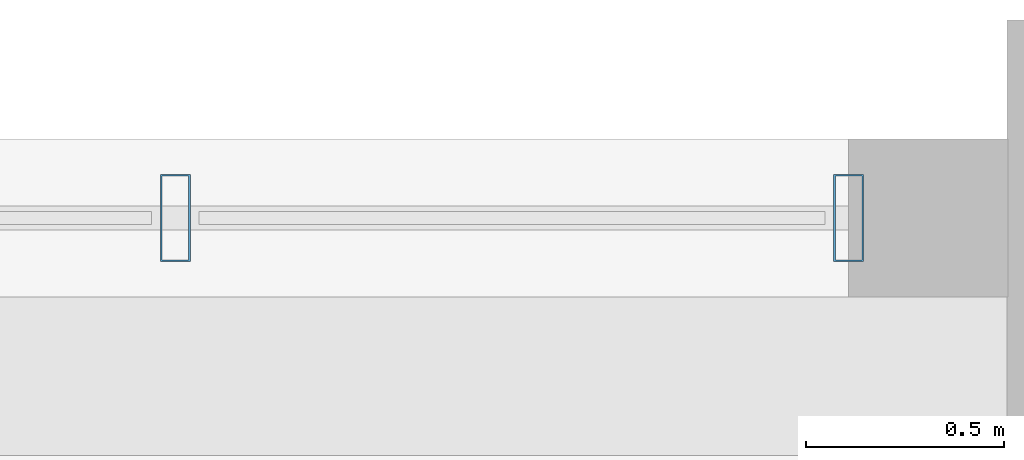
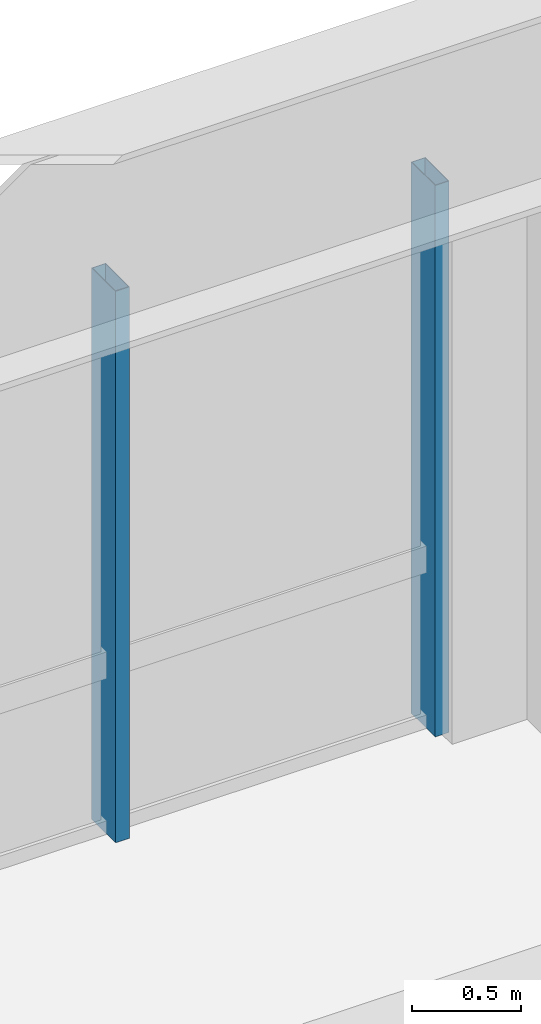
# One storey, part 10 of 23: 2 members, 1 element without a shape of its own.
"""IFC4 building model written with IfcOpenShell, lengths in metres."""

from ifc_helpers import new_model, si_unit, direction, frame, origin, origin_2d, place, context, subcontext, project, spatial, hollow_rectangle, extrude, source, transform, mapped, material, layer, layer_set, material_profile, profile_set, type_object, element, aggregate, save


model = new_model("IFC4")

# Units and contexts
model_context = context("Model", 3, precision=1e-05, world=origin(), true_north=direction((0.0, 1.0)))
body_context = subcontext(model_context, "Body", "Model", "MODEL_VIEW")
ifc_project = project(units=[si_unit("LENGTHUNIT", "METRE"), si_unit("AREAUNIT", "SQUARE_METRE"), si_unit("VOLUMEUNIT", "CUBIC_METRE"), si_unit("PLANEANGLEUNIT", "RADIAN"), si_unit("MASSUNIT", "GRAM", prefix="KILO")], contexts=[model_context])

# Site, building, storey
site_placement = place(None, origin())
site = spatial("IfcSite", under=ifc_project, at=site_placement, CompositionType="ELEMENT")
building_placement = place(site_placement, origin())
building = spatial("IfcBuilding", under=site, at=building_placement, Name="Kharzan Plaza Tower", CompositionType="ELEMENT")
storey_placement = place(building_placement, origin())
storey = spatial("IfcBuildingStorey", under=building, at=storey_placement, Name="L00", CompositionType="ELEMENT", Elevation=0.0)

# Curtain wall, members
ifc_material_1 = material(Name="Unitised Bronze-Anodized Aluminium and Low-E Glass", Category="aluminium")
ifc_layer = layer(ifc_material_1, 0.199951171875)
ifc_layer_set = layer_set([ifc_layer], Name="Unitised Bronze-Anodized Aluminium and Low-E Glass")
curtain_wall_type = type_object("IfcCurtainWallType", Name="CW-PODIUM-1", PredefinedType="NOTDEFINED", material=ifc_layer_set)
curtain_wall_placement = place(storey_placement, origin())
curtain_wall = element("IfcCurtainWall", 1, at=curtain_wall_placement, inside=storey, type_object=curtain_wall_type, Name="L00 Podium North Gallery Curtain Wall", PredefinedType="NOTDEFINED")
ifc_material_2 = material(Name="Anodized Bronze Aluminium", Category="aluminium")
ifc_material_profile = material_profile(ifc_material_2, hollow_rectangle(XDim=0.074951171875, YDim=0.219970703125, WallThickness=0.00390625, at=origin_2d()), Name="ALU-M220x75x4")
ifc_profile_set = profile_set([ifc_material_profile], Name="Anodized Bronze Aluminium")
member_type = type_object("IfcMemberType", Name="MEM-CW-MUL200", PredefinedType="MULLION", material=ifc_profile_set)
shared_shape = source(origin(), body_context, "Body", "SweptSolid", [
    extrude(hollow_rectangle(XDim=0.074951171875, YDim=0.219970703125, WallThickness=0.00390625, at=origin_2d()), origin(), (0.0, 0.0, 1.0), 3.10009765625),
])
member_1_placement = place(storey_placement, frame((23.699951171875, 49.800048828125, 0.0), z_axis=(0.0, 0.0, 1.0), x_axis=(1.0, 0.0, 0.0)))
member_1 = element("IfcMember", 2, at=member_1_placement, type_object=member_type, Name="L00 Curtain-Wall Mullion 02", PredefinedType="MULLION", context=body_context, shape_type="MappedRepresentation", body=[
    mapped(shared_shape, transform((0.0, 0.0, 0.0), x_axis=(1.0, 0.0, 0.0), y_axis=(0.0, 1.0, 0.0), z_axis=(0.0, 0.0, 1.0))),
])
member_2_placement = place(storey_placement, frame((25.39990234375, 49.800048828125, 0.0), z_axis=(0.0, 0.0, 1.0), x_axis=(1.0, 0.0, 0.0)))
member_2 = element("IfcMember", 3, at=member_2_placement, type_object=member_type, Name="L00 Curtain-Wall Mullion 03", PredefinedType="MULLION", context=body_context, shape_type="MappedRepresentation", body=[
    mapped(shared_shape, transform((0.0, 0.0, 0.0), x_axis=(1.0, 0.0, 0.0), y_axis=(0.0, 1.0, 0.0), z_axis=(0.0, 0.0, 1.0))),
])
aggregate(curtain_wall, [member_1, member_2])

save(model, "model.ifc")
